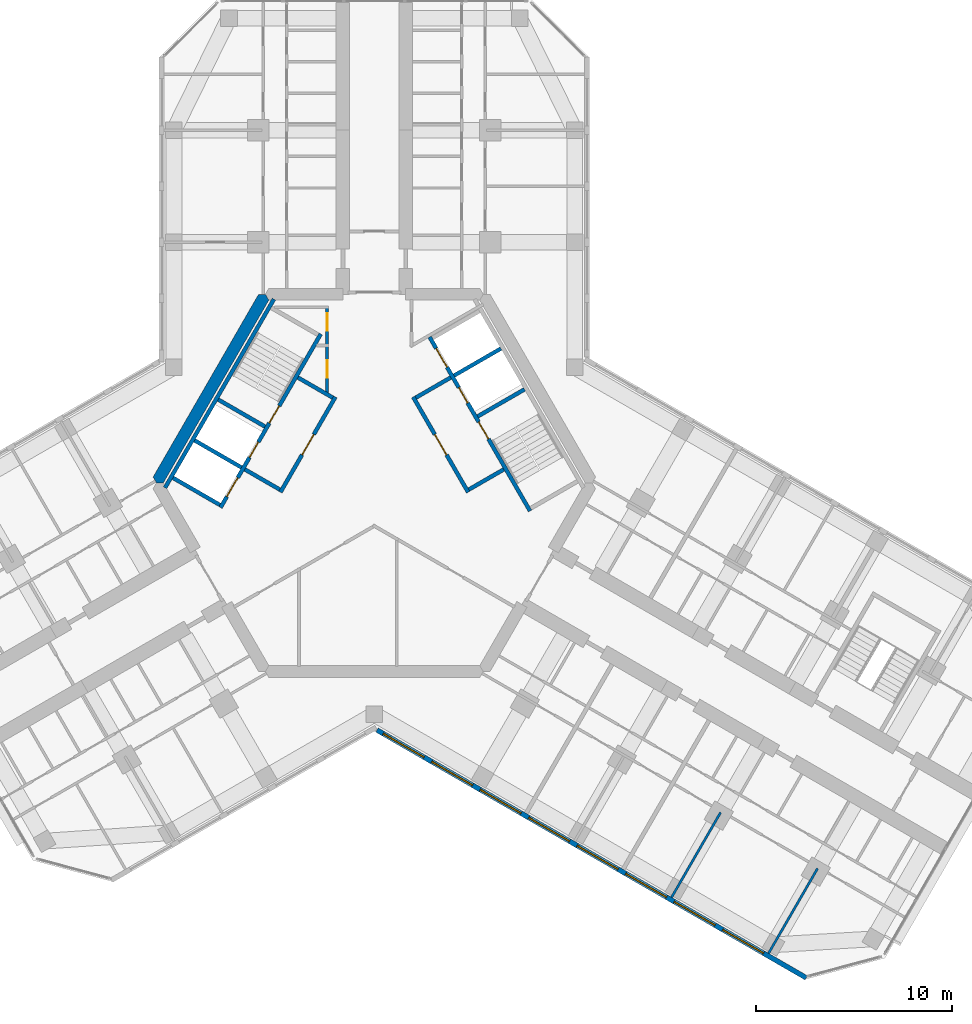
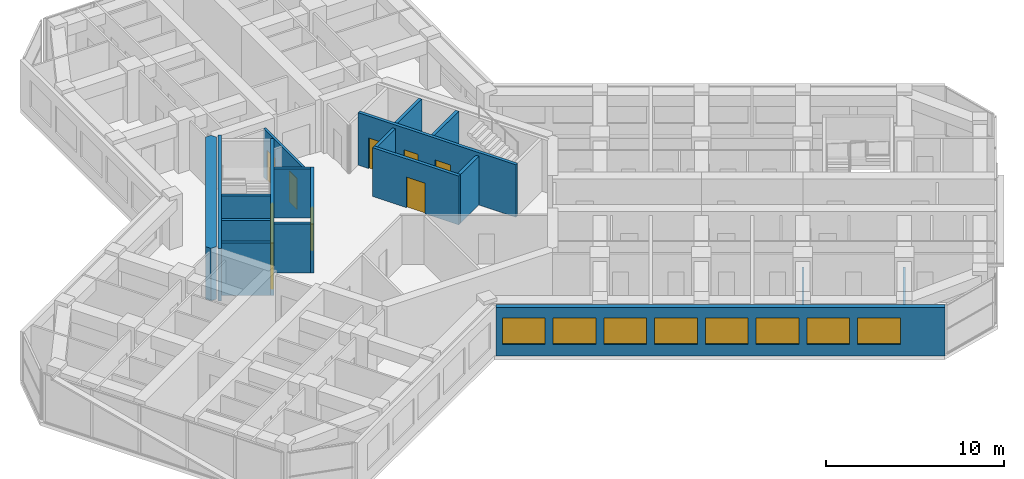
# One storey, part 10 of 16: 19 walls, 10 doors, 8 windows, 18 openings.
"""IFC4 building model written with IfcOpenShell, lengths in metres."""

from ifc_helpers import new_model, si_unit, direction, frame, frame_2d, origin, place, context, subcontext, project, spatial, polyline, rectangle, outline, extrude, material, layer, layer_set, type_object, element, fill, save


model = new_model("IFC4")

# Units and contexts
model_context = context("Model", 3, precision=1e-05, world=origin(), true_north=direction((0.0, 1.0)))
body_context = subcontext(model_context, "Body", "Model", "MODEL_VIEW")
ifc_project = project(units=[si_unit("LENGTHUNIT", "METRE"), si_unit("AREAUNIT", "SQUARE_METRE"), si_unit("VOLUMEUNIT", "CUBIC_METRE"), si_unit("PLANEANGLEUNIT", "RADIAN"), si_unit("MASSUNIT", "GRAM", prefix="KILO")], contexts=[model_context])

# Site, building, storey
site_placement = place(None, origin())
site = spatial("IfcSite", under=ifc_project, at=site_placement, CompositionType="ELEMENT")
building_placement = place(site_placement, origin())
building = spatial("IfcBuilding", under=site, at=building_placement, Name="Kosmar Iwan School Tower", CompositionType="ELEMENT")
storey_placement = place(building_placement, frame((0.0, 0.0, 249.60009765625)))
storey = spatial("IfcBuildingStorey", under=building, at=storey_placement, Name="L63", CompositionType="ELEMENT", Elevation=249.60009765625)

# Wall, openings, doors
ifc_material_1 = material(Name="Gypsum board on steel studs, fire-rated", Category="steel")
ifc_layer_1 = layer(ifc_material_1, 0.14990234375)
ifc_layer_set_1 = layer_set([ifc_layer_1], Name="Core room partition 150")
wall_type_1 = type_object("IfcWallType", Name="Core room partition 150", PredefinedType="PARTITIONING", material=ifc_layer_set_1)
wall_1_placement = place(storey_placement, frame((-2.39990234375, 9.014892578125, 0.0), z_axis=(0.0, 0.0, 1.0), x_axis=(0.0, -1.0, 0.0)))
wall_1 = element("IfcWall", 1, at=wall_1_placement, inside=storey, type_object=wall_type_1, Name="Core room partition L63-CW1", PredefinedType="PARTITIONING", context=body_context, shape_type="SweptSolid", body=[
    extrude(rectangle(XDim=4.484130859375, YDim=0.14990234375, at=frame_2d((2.2421875, 0.0))), origin(), (0.0, 0.0, 1.0), 3.349853515625),
])
opening_1_placement = place(wall_1_placement, frame((0.375, 0.0, 0.0)))
opening_1 = element("IfcOpeningElement", 2, at=opening_1_placement, cuts=wall_1, Name="Opening D14", PredefinedType="OPENING", context=body_context, shape_type="SweptSolid", body=[
    extrude(rectangle(XDim=0.89990234375, YDim=2.10009765625, at=frame_2d((0.449951171875, 1.050048828125))), frame((0.0, 0.0869140625, 0.0), z_axis=(0.0, -1.0, 0.0), x_axis=(1.0, 0.0, 0.0)), (0.0, 0.0, 1.0), 0.173828125),
])
opening_2_placement = place(wall_1_placement, frame((2.77490234375, 0.0, 0.0)))
opening_2 = element("IfcOpeningElement", 3, at=opening_2_placement, cuts=wall_1, Name="Opening D14", PredefinedType="OPENING", context=body_context, shape_type="SweptSolid", body=[
    extrude(rectangle(XDim=0.89990234375, YDim=2.10009765625, at=frame_2d((0.449951171875, 1.050048828125))), frame((0.0, 0.0869140625, 0.0), z_axis=(0.0, -1.0, 0.0), x_axis=(1.0, 0.0, 0.0)), (0.0, 0.0, 1.0), 0.173828125),
])
ifc_material_2 = material(Name="Timber fire door in steel frame", Category="steel")
door_type_1 = type_object("IfcDoorType", Name="Core room door 900x2100", OperationType="SINGLE_SWING_LEFT", PredefinedType="DOOR", material=ifc_material_2)
door_1_placement = place(opening_1_placement, origin())
door_1 = element("IfcDoor", 4, at=door_1_placement, inside=storey, type_object=door_type_1, Name="Electrical riser and switch room door L63 1", OperationType="SINGLE_SWING_LEFT", OverallHeight=2.10009765625, OverallWidth=0.89990234375, PredefinedType="DOOR", context=body_context, shape_type="SweptSolid", body=[
    extrude(rectangle(XDim=0.89990234375, YDim=2.10009765625, at=frame_2d((0.449951171875, 1.050048828125))), frame((0.0, 0.02490234375, 0.0), z_axis=(0.0, -1.0, 0.0), x_axis=(1.0, 0.0, 0.0)), (0.0, 0.0, 1.0), 0.050048828125),
])
fill(opening_1, door_1)
door_2_placement = place(opening_2_placement, origin())
door_2 = element("IfcDoor", 5, at=door_2_placement, inside=storey, type_object=door_type_1, Name="Plumbing and wet riser door L63 2", OperationType="SINGLE_SWING_RIGHT", OverallHeight=2.10009765625, OverallWidth=0.89990234375, PredefinedType="DOOR", context=body_context, shape_type="SweptSolid", body=[
    extrude(rectangle(XDim=0.89990234375, YDim=2.10009765625, at=frame_2d((0.449951171875, 1.050048828125))), frame((0.0, 0.02490234375, 0.0), z_axis=(0.0, -1.0, 0.0), x_axis=(1.0, 0.0, 0.0)), (0.0, 0.0, 1.0), 0.050048828125),
])
fill(opening_2, door_2)

# Walls
ifc_material_3 = material(Name="Concrete C50/60", Category="concrete")
ifc_layer_2 = layer(ifc_material_3, 0.60009765625)
ifc_layer_set_2 = layer_set([ifc_layer_2], Name="Core wall 600")
wall_type_2 = type_object("IfcWallType", Name="Core wall 600", PredefinedType="SHEAR", material=ifc_layer_set_2)
wall_2_placement = place(storey_placement, origin())
element("IfcWall", 6, at=wall_2_placement, inside=storey, type_object=wall_type_2, Name="Core wall F150", PredefinedType="SHEAR", context=body_context, shape_type="SweptSolid", body=[
    extrude(outline(polyline([(-11.085205078125, 0.0), (-10.73876953125, 0.0), (-5.369384765625, 9.300048828125), (-5.54248046875, 9.60009765625), (-5.888916015625, 9.60009765625), (-11.25830078125, 0.300048828125), (-11.085205078125, 0.0)])), origin(), (0.0, 0.0, 1.0), 3.599853515625),
])
ifc_material_4 = material(Name="Gypsum board on steel studs", Category="steel")
ifc_layer_3 = layer(ifc_material_4, 0.1201171875)
ifc_layer_set_3 = layer_set([ifc_layer_3], Name="Dwelling partition 120")
wall_type_3 = type_object("IfcWallType", Name="Dwelling partition 120", PredefinedType="PARTITIONING", material=ifc_layer_set_3)
wall_3_placement = place(storey_placement, frame((17.62646484375, -16.77001953125, 0.0), z_axis=(0.0, 0.0, 1.0), x_axis=(-0.499975153383, -0.86603974851, 0.0)))
element("IfcWall", 7, at=wall_3_placement, inside=storey, type_object=wall_type_3, Name="Partition L63-CR3-X1", PredefinedType="PARTITIONING", context=body_context, shape_type="SweptSolid", body=[
    extrude(rectangle(XDim=4.989990234375, YDim=0.1201171875, at=frame_2d((2.4951171875, 0.0))), origin(), (0.0, 0.0, 1.0), 2.449951171875),
])
wall_4_placement = place(storey_placement, frame((22.562744140625, -19.6201171875, 0.0), z_axis=(0.0, 0.0, 1.0), x_axis=(-0.499996339024, -0.86602751744, 0.0)))
element("IfcWall", 8, at=wall_4_placement, inside=storey, type_object=wall_type_3, Name="Partition L63-CR3-X2", PredefinedType="PARTITIONING", context=body_context, shape_type="SweptSolid", body=[
    extrude(rectangle(XDim=4.98974609375, YDim=0.1201171875, at=frame_2d((2.494873046875, 0.0))), origin(), (0.0, 0.0, 1.0), 2.449951171875),
])

# Wall, openings, windows
ifc_material_5 = material(Name="Black aluminium rainscreen on insulated framing", Category="aluminium")
ifc_layer_4 = layer(ifc_material_5, 0.25)
ifc_layer_set_4 = layer_set([ifc_layer_4], Name="External wall rainscreen 250")
wall_type_4 = type_object("IfcWallType", Name="External wall rainscreen 250", PredefinedType="SOLIDWALL", material=ifc_layer_set_4)
wall_5_placement = place(storey_placement, frame((0.137939453125, -12.5791015625, 0.0), z_axis=(0.0, 0.0, 1.0), x_axis=(0.866023775649, -0.500002820003, 0.0)))
wall_5 = element("IfcWall", 9, at=wall_5_placement, inside=storey, type_object=wall_type_4, Name="External wall CR L63", PredefinedType="SOLIDWALL", context=body_context, shape_type="SweptSolid", body=[
    extrude(rectangle(XDim=25.226318359375, YDim=0.25, at=frame_2d((12.61328125, 0.0))), origin(), (0.0, 0.0, 1.0), 3.349853515625),
])
opening_3_placement = place(wall_5_placement, frame((0.365966796875, 0.0, 0.800048828125)))
opening_3 = element("IfcOpeningElement", 10, at=opening_3_placement, cuts=wall_5, Name="Opening W5", PredefinedType="OPENING", context=body_context, shape_type="SweptSolid", body=[
    extrude(rectangle(XDim=2.39990234375, YDim=1.800048828125, at=frame_2d((1.199951171875, 0.89990234375))), frame((0.0, 0.136962890625, 0.0), z_axis=(0.0, -1.0, 0.0), x_axis=(1.0, 0.0, 0.0)), (0.0, 0.0, 1.0), 0.27392578125),
])
opening_4_placement = place(wall_5_placement, frame((3.216064453125, 0.0, 0.800048828125)))
opening_4 = element("IfcOpeningElement", 11, at=opening_4_placement, cuts=wall_5, Name="Opening W5", PredefinedType="OPENING", context=body_context, shape_type="SweptSolid", body=[
    extrude(rectangle(XDim=2.39990234375, YDim=1.800048828125, at=frame_2d((1.199951171875, 0.89990234375))), frame((0.0, 0.136962890625, 0.0), z_axis=(0.0, -1.0, 0.0), x_axis=(1.0, 0.0, 0.0)), (0.0, 0.0, 1.0), 0.27392578125),
])
opening_5_placement = place(wall_5_placement, frame((6.06591796875, 0.0, 0.800048828125)))
opening_5 = element("IfcOpeningElement", 12, at=opening_5_placement, cuts=wall_5, Name="Opening W5", PredefinedType="OPENING", context=body_context, shape_type="SweptSolid", body=[
    extrude(rectangle(XDim=2.39990234375, YDim=1.800048828125, at=frame_2d((1.199951171875, 0.89990234375))), frame((0.0, 0.136962890625, 0.0), z_axis=(0.0, -1.0, 0.0), x_axis=(1.0, 0.0, 0.0)), (0.0, 0.0, 1.0), 0.27392578125),
])
opening_6_placement = place(wall_5_placement, frame((8.916015625, 0.0, 0.800048828125)))
opening_6 = element("IfcOpeningElement", 13, at=opening_6_placement, cuts=wall_5, Name="Opening W5", PredefinedType="OPENING", context=body_context, shape_type="SweptSolid", body=[
    extrude(rectangle(XDim=2.39990234375, YDim=1.800048828125, at=frame_2d((1.199951171875, 0.89990234375))), frame((0.0, 0.136962890625, 0.0), z_axis=(0.0, -1.0, 0.0), x_axis=(1.0, 0.0, 0.0)), (0.0, 0.0, 1.0), 0.27392578125),
])
opening_7_placement = place(wall_5_placement, frame((11.76611328125, 0.0, 0.800048828125)))
opening_7 = element("IfcOpeningElement", 14, at=opening_7_placement, cuts=wall_5, Name="Opening W5", PredefinedType="OPENING", context=body_context, shape_type="SweptSolid", body=[
    extrude(rectangle(XDim=2.39990234375, YDim=1.800048828125, at=frame_2d((1.199951171875, 0.89990234375))), frame((0.0, 0.136962890625, 0.0), z_axis=(0.0, -1.0, 0.0), x_axis=(1.0, 0.0, 0.0)), (0.0, 0.0, 1.0), 0.27392578125),
])
opening_8_placement = place(wall_5_placement, frame((14.615966796875, 0.0, 0.800048828125)))
opening_8 = element("IfcOpeningElement", 15, at=opening_8_placement, cuts=wall_5, Name="Opening W5", PredefinedType="OPENING", context=body_context, shape_type="SweptSolid", body=[
    extrude(rectangle(XDim=2.39990234375, YDim=1.800048828125, at=frame_2d((1.199951171875, 0.89990234375))), frame((0.0, 0.136962890625, 0.0), z_axis=(0.0, -1.0, 0.0), x_axis=(1.0, 0.0, 0.0)), (0.0, 0.0, 1.0), 0.27392578125),
])
opening_9_placement = place(wall_5_placement, frame((17.466064453125, 0.0, 0.800048828125)))
opening_9 = element("IfcOpeningElement", 16, at=opening_9_placement, cuts=wall_5, Name="Opening W5", PredefinedType="OPENING", context=body_context, shape_type="SweptSolid", body=[
    extrude(rectangle(XDim=2.39990234375, YDim=1.800048828125, at=frame_2d((1.199951171875, 0.89990234375))), frame((0.0, 0.136962890625, 0.0), z_axis=(0.0, -1.0, 0.0), x_axis=(1.0, 0.0, 0.0)), (0.0, 0.0, 1.0), 0.27392578125),
])
opening_10_placement = place(wall_5_placement, frame((20.31591796875, 0.0, 0.800048828125)))
opening_10 = element("IfcOpeningElement", 17, at=opening_10_placement, cuts=wall_5, Name="Opening W5", PredefinedType="OPENING", context=body_context, shape_type="SweptSolid", body=[
    extrude(rectangle(XDim=2.39990234375, YDim=1.800048828125, at=frame_2d((1.199951171875, 0.89990234375))), frame((0.0, 0.136962890625, 0.0), z_axis=(0.0, -1.0, 0.0), x_axis=(1.0, 0.0, 0.0)), (0.0, 0.0, 1.0), 0.27392578125),
])
ifc_material_6 = material(Name="Black aluminium frame with dark triple glazing", Category="aluminium")
window_type = type_object("IfcWindowType", Name="Window 2400x1800", PartitioningType="SINGLE_PANEL", PredefinedType="WINDOW", material=ifc_material_6)
window_1_placement = place(opening_3_placement, origin())
window_1 = element("IfcWindow", 18, at=window_1_placement, inside=storey, type_object=window_type, Name="Window CR L63 -1", OverallHeight=1.800048828125, OverallWidth=2.39990234375, PartitioningType="SINGLE_PANEL", PredefinedType="WINDOW", context=body_context, shape_type="SweptSolid", body=[
    extrude(rectangle(XDim=2.39990234375, YDim=1.800048828125, at=frame_2d((1.199951171875, 0.89990234375))), frame((0.0, 0.030029296875, 0.0), z_axis=(0.0, -1.0, 0.0), x_axis=(1.0, 0.0, 0.0)), (0.0, 0.0, 1.0), 0.06005859375),
])
fill(opening_3, window_1)
window_2_placement = place(opening_4_placement, origin())
window_2 = element("IfcWindow", 19, at=window_2_placement, inside=storey, type_object=window_type, Name="Window CR L63 0", OverallHeight=1.800048828125, OverallWidth=2.39990234375, PartitioningType="SINGLE_PANEL", PredefinedType="WINDOW", context=body_context, shape_type="SweptSolid", body=[
    extrude(rectangle(XDim=2.39990234375, YDim=1.800048828125, at=frame_2d((1.199951171875, 0.89990234375))), frame((0.0, 0.030029296875, 0.0), z_axis=(0.0, -1.0, 0.0), x_axis=(1.0, 0.0, 0.0)), (0.0, 0.0, 1.0), 0.06005859375),
])
fill(opening_4, window_2)
window_3_placement = place(opening_5_placement, origin())
window_3 = element("IfcWindow", 20, at=window_3_placement, inside=storey, type_object=window_type, Name="Window CR L63 1", OverallHeight=1.800048828125, OverallWidth=2.39990234375, PartitioningType="SINGLE_PANEL", PredefinedType="WINDOW", context=body_context, shape_type="SweptSolid", body=[
    extrude(rectangle(XDim=2.39990234375, YDim=1.800048828125, at=frame_2d((1.199951171875, 0.89990234375))), frame((0.0, 0.030029296875, 0.0), z_axis=(0.0, -1.0, 0.0), x_axis=(1.0, 0.0, 0.0)), (0.0, 0.0, 1.0), 0.06005859375),
])
fill(opening_5, window_3)
window_4_placement = place(opening_6_placement, origin())
window_4 = element("IfcWindow", 21, at=window_4_placement, inside=storey, type_object=window_type, Name="Window CR L63 2", OverallHeight=1.800048828125, OverallWidth=2.39990234375, PartitioningType="SINGLE_PANEL", PredefinedType="WINDOW", context=body_context, shape_type="SweptSolid", body=[
    extrude(rectangle(XDim=2.39990234375, YDim=1.800048828125, at=frame_2d((1.199951171875, 0.89990234375))), frame((0.0, 0.030029296875, 0.0), z_axis=(0.0, -1.0, 0.0), x_axis=(1.0, 0.0, 0.0)), (0.0, 0.0, 1.0), 0.06005859375),
])
fill(opening_6, window_4)
window_5_placement = place(opening_7_placement, origin())
window_5 = element("IfcWindow", 22, at=window_5_placement, inside=storey, type_object=window_type, Name="Window CR L63 3", OverallHeight=1.800048828125, OverallWidth=2.39990234375, PartitioningType="SINGLE_PANEL", PredefinedType="WINDOW", context=body_context, shape_type="SweptSolid", body=[
    extrude(rectangle(XDim=2.39990234375, YDim=1.800048828125, at=frame_2d((1.199951171875, 0.89990234375))), frame((0.0, 0.030029296875, 0.0), z_axis=(0.0, -1.0, 0.0), x_axis=(1.0, 0.0, 0.0)), (0.0, 0.0, 1.0), 0.06005859375),
])
fill(opening_7, window_5)
window_6_placement = place(opening_8_placement, origin())
window_6 = element("IfcWindow", 23, at=window_6_placement, inside=storey, type_object=window_type, Name="Window CR L63 4", OverallHeight=1.800048828125, OverallWidth=2.39990234375, PartitioningType="SINGLE_PANEL", PredefinedType="WINDOW", context=body_context, shape_type="SweptSolid", body=[
    extrude(rectangle(XDim=2.39990234375, YDim=1.800048828125, at=frame_2d((1.199951171875, 0.89990234375))), frame((0.0, 0.030029296875, 0.0), z_axis=(0.0, -1.0, 0.0), x_axis=(1.0, 0.0, 0.0)), (0.0, 0.0, 1.0), 0.06005859375),
])
fill(opening_8, window_6)
window_7_placement = place(opening_9_placement, origin())
window_7 = element("IfcWindow", 24, at=window_7_placement, inside=storey, type_object=window_type, Name="Window CR L63 5", OverallHeight=1.800048828125, OverallWidth=2.39990234375, PartitioningType="SINGLE_PANEL", PredefinedType="WINDOW", context=body_context, shape_type="SweptSolid", body=[
    extrude(rectangle(XDim=2.39990234375, YDim=1.800048828125, at=frame_2d((1.199951171875, 0.89990234375))), frame((0.0, 0.030029296875, 0.0), z_axis=(0.0, -1.0, 0.0), x_axis=(1.0, 0.0, 0.0)), (0.0, 0.0, 1.0), 0.06005859375),
])
fill(opening_9, window_7)
window_8_placement = place(opening_10_placement, origin())
window_8 = element("IfcWindow", 25, at=window_8_placement, inside=storey, type_object=window_type, Name="Window CR L63 6", OverallHeight=1.800048828125, OverallWidth=2.39990234375, PartitioningType="SINGLE_PANEL", PredefinedType="WINDOW", context=body_context, shape_type="SweptSolid", body=[
    extrude(rectangle(XDim=2.39990234375, YDim=1.800048828125, at=frame_2d((1.199951171875, 0.89990234375))), frame((0.0, 0.030029296875, 0.0), z_axis=(0.0, -1.0, 0.0), x_axis=(1.0, 0.0, 0.0)), (0.0, 0.0, 1.0), 0.06005859375),
])
fill(opening_10, window_8)

# Wall, opening, door
ifc_material_7 = material(Name="Concrete block masonry", Category="masonry")
ifc_layer_5 = layer(ifc_material_7, 0.199951171875)
ifc_layer_set_5 = layer_set([ifc_layer_5], Name="Fire lobby wall 200")
wall_type_5 = type_object("IfcWallType", Name="Fire lobby wall 200", PredefinedType="PARTITIONING", material=ifc_layer_set_5)
wall_6_placement = place(storey_placement, frame((-1.9775390625, 4.374755859375, 0.0), z_axis=(0.0, 0.0, 1.0), x_axis=(-0.500016814911, -0.866015695474, 0.0)))
wall_6 = element("IfcWall", 26, at=wall_6_placement, inside=storey, type_object=wall_type_5, Name="Firefighting lobby wall ST2", PredefinedType="PARTITIONING", context=body_context, shape_type="SweptSolid", body=[
    extrude(rectangle(XDim=5.599853515625, YDim=0.199951171875, at=frame_2d((2.7998046875, 0.0))), origin(), (0.0, 0.0, 1.0), 3.349853515625),
])
opening_11_placement = place(wall_6_placement, frame((2.199951171875, 0.0, 0.0)))
opening_11 = element("IfcOpeningElement", 27, at=opening_11_placement, cuts=wall_6, Name="Opening D7", PredefinedType="OPENING", context=body_context, shape_type="SweptSolid", body=[
    extrude(rectangle(XDim=1.199951171875, YDim=2.10009765625, at=frame_2d((0.60009765625, 1.050048828125))), frame((0.0, 0.112060546875, 0.0), z_axis=(0.0, -1.0, 0.0), x_axis=(1.0, 0.0, 0.0)), (0.0, 0.0, 1.0), 0.223876953125),
])
ifc_material_8 = material(Name="Steel fire door", Category="steel")
door_type_2 = type_object("IfcDoorType", Name="Fire lobby door 1200x2100", OperationType="SINGLE_SWING_LEFT", PredefinedType="DOOR", material=ifc_material_8)
door_3_placement = place(opening_11_placement, origin())
door_3 = element("IfcDoor", 28, at=door_3_placement, inside=storey, type_object=door_type_2, Name="Firefighting lobby door ST2 L63", OperationType="SINGLE_SWING_RIGHT", OverallHeight=2.10009765625, OverallWidth=1.199951171875, PredefinedType="DOOR", context=body_context, shape_type="SweptSolid", body=[
    extrude(rectangle(XDim=1.199951171875, YDim=2.10009765625, at=frame_2d((0.60009765625, 1.050048828125))), frame((0.0, 0.02490234375, 0.0), z_axis=(0.0, -1.0, 0.0), x_axis=(1.0, 0.0, 0.0)), (0.0, 0.0, 1.0), 0.050048828125),
])
fill(opening_11, door_3)

# Walls
wall_7_placement = place(storey_placement, frame((-2.114013671875, 4.33837890625, 0.0), z_axis=(0.0, 0.0, 1.0), x_axis=(-0.866050731258, 0.499956128963, 0.0)))
element("IfcWall", 29, at=wall_7_placement, inside=storey, type_object=wall_type_5, Name="Firefighting lobby wall ST2", PredefinedType="PARTITIONING", context=body_context, shape_type="SweptSolid", body=[
    extrude(rectangle(XDim=2.050048828125, YDim=0.199951171875, at=frame_2d((1.02490234375, 0.0))), origin(), (0.0, 0.0, 1.0), 3.349853515625),
])
wall_8_placement = place(storey_placement, frame((-4.814208984375, -0.33837890625, 0.0), z_axis=(0.0, 0.0, 1.0), x_axis=(-0.865969381856, 0.500097020274, 0.0)))
element("IfcWall", 30, at=wall_8_placement, inside=storey, type_object=wall_type_5, Name="Firefighting lobby wall ST2", PredefinedType="PARTITIONING", context=body_context, shape_type="SweptSolid", body=[
    extrude(rectangle(XDim=2.0498046875, YDim=0.199951171875, at=frame_2d((1.02490234375, 0.0))), origin(), (0.0, 0.0, 1.0), 3.349853515625),
])

# Wall, opening, door
wall_9_placement = place(storey_placement, frame((4.777587890625, -0.474853515625, 0.0), z_axis=(0.0, 0.0, 1.0), x_axis=(-0.500016814911, 0.866015695474, 0.0)))
wall_9 = element("IfcWall", 31, at=wall_9_placement, inside=storey, type_object=wall_type_5, Name="Firefighting lobby wall ST1", PredefinedType="PARTITIONING", context=body_context, shape_type="SweptSolid", body=[
    extrude(rectangle(XDim=5.599853515625, YDim=0.199951171875, at=frame_2d((2.7998046875, 0.0))), origin(), (0.0, 0.0, 1.0), 3.349853515625),
])
opening_12_placement = place(wall_9_placement, frame((2.199951171875, 0.0, 0.0)))
opening_12 = element("IfcOpeningElement", 32, at=opening_12_placement, cuts=wall_9, Name="Opening D7", PredefinedType="OPENING", context=body_context, shape_type="SweptSolid", body=[
    extrude(rectangle(XDim=1.199951171875, YDim=2.10009765625, at=frame_2d((0.60009765625, 1.050048828125))), frame((0.0, 0.112060546875, 0.0), z_axis=(0.0, -1.0, 0.0), x_axis=(1.0, 0.0, 0.0)), (0.0, 0.0, 1.0), 0.223876953125),
])
door_4_placement = place(opening_12_placement, origin())
door_4 = element("IfcDoor", 33, at=door_4_placement, inside=storey, type_object=door_type_2, Name="Firefighting lobby door ST1 L63", OperationType="SINGLE_SWING_RIGHT", OverallHeight=2.10009765625, OverallWidth=1.199951171875, PredefinedType="DOOR", context=body_context, shape_type="SweptSolid", body=[
    extrude(rectangle(XDim=1.199951171875, YDim=2.10009765625, at=frame_2d((0.60009765625, 1.050048828125))), frame((0.0, 0.02490234375, 0.0), z_axis=(0.0, -1.0, 0.0), x_axis=(1.0, 0.0, 0.0)), (0.0, 0.0, 1.0), 0.050048828125),
])
fill(opening_12, door_4)

# Walls
wall_10_placement = place(storey_placement, frame((4.814208984375, -0.33837890625, 0.0), z_axis=(0.0, 0.0, 1.0), x_axis=(0.865969381856, 0.500097020274, 0.0)))
element("IfcWall", 34, at=wall_10_placement, inside=storey, type_object=wall_type_5, Name="Firefighting lobby wall ST1", PredefinedType="PARTITIONING", context=body_context, shape_type="SweptSolid", body=[
    extrude(rectangle(XDim=2.0498046875, YDim=0.199951171875, at=frame_2d((1.02490234375, 0.0))), origin(), (0.0, 0.0, 1.0), 3.349853515625),
])
wall_11_placement = place(storey_placement, frame((2.114013671875, 4.33837890625, 0.0), z_axis=(0.0, 0.0, 1.0), x_axis=(0.866050731258, 0.499956128963, 0.0)))
element("IfcWall", 35, at=wall_11_placement, inside=storey, type_object=wall_type_5, Name="Firefighting lobby wall ST1", PredefinedType="PARTITIONING", context=body_context, shape_type="SweptSolid", body=[
    extrude(rectangle(XDim=2.050048828125, YDim=0.199951171875, at=frame_2d((1.02490234375, 0.0))), origin(), (0.0, 0.0, 1.0), 3.349853515625),
])

# Wall, openings, doors
ifc_material_9 = material(Name="Concrete C50/60", Category="concrete")
ifc_layer_6 = layer(ifc_material_9, 0.199951171875)
ifc_layer_set_6 = layer_set([ifc_layer_6], Name="Lift shaft wall 200")
wall_type_6 = type_object("IfcWallType", Name="Lift shaft wall 200", PredefinedType="SHEAR", material=ifc_layer_set_6)
wall_12_placement = place(storey_placement, frame((-2.72607421875, 7.578369140625, 0.0), z_axis=(0.0, 0.0, 1.0), x_axis=(-0.500005610874, -0.86602216432, 0.0)))
wall_12 = element("IfcWall", 36, at=wall_12_placement, inside=storey, type_object=wall_type_6, Name="Lift and stair front wall AB", PredefinedType="SHEAR", context=body_context, shape_type="SweptSolid", body=[
    extrude(rectangle(XDim=10.2001953125, YDim=0.199951171875, at=frame_2d((5.10009765625, 0.0))), origin(), (0.0, 0.0, 1.0), 3.599853515625),
])
opening_13_placement = place(wall_12_placement, frame((6.35009765625, 0.0, 0.0)))
opening_13 = element("IfcOpeningElement", 37, at=opening_13_placement, cuts=wall_12, Name="Opening LD2", PredefinedType="OPENING", context=body_context, shape_type="SweptSolid", body=[
    extrude(rectangle(XDim=0.89990234375, YDim=2.10009765625, at=frame_2d((0.449951171875, 1.050048828125))), frame((0.0, 0.112060546875, 0.0), z_axis=(0.0, -1.0, 0.0), x_axis=(1.0, 0.0, 0.0)), (0.0, 0.0, 1.0), 0.223876953125),
])
opening_14_placement = place(wall_12_placement, frame((8.449951171875, 0.0, 0.0)))
opening_14 = element("IfcOpeningElement", 38, at=opening_14_placement, cuts=wall_12, Name="Opening LD1", PredefinedType="OPENING", context=body_context, shape_type="SweptSolid", body=[
    extrude(rectangle(XDim=1.10009765625, YDim=2.10009765625, at=frame_2d((0.550048828125, 1.050048828125))), frame((0.0, 0.112060546875, 0.0), z_axis=(0.0, -1.0, 0.0), x_axis=(1.0, 0.0, 0.0)), (0.0, 0.0, 1.0), 0.223876953125),
])
opening_15_placement = place(wall_12_placement, frame((4.22998046875, 0.0, 0.0)))
opening_15 = element("IfcOpeningElement", 39, at=opening_15_placement, cuts=wall_12, Name="Opening D6", PredefinedType="OPENING", context=body_context, shape_type="SweptSolid", body=[
    extrude(rectangle(XDim=1.0, YDim=2.10009765625, at=frame_2d((0.5, 1.050048828125))), frame((0.0, 0.112060546875, 0.0), z_axis=(0.0, -1.0, 0.0), x_axis=(1.0, 0.0, 0.0)), (0.0, 0.0, 1.0), 0.223876953125),
])
ifc_material_10 = material(Name="Stainless steel sliding lift door", Category="steel")
door_type_3 = type_object("IfcDoorType", Name="Firefighting lift landing door 900x2100", OperationType="SLIDING_TO_LEFT", PredefinedType="DOOR", material=ifc_material_10)
door_5_placement = place(opening_13_placement, origin())
door_5 = element("IfcDoor", 40, at=door_5_placement, inside=storey, type_object=door_type_3, Name="Lift FF2 landing door L63", OperationType="SLIDING_TO_LEFT", OverallHeight=2.10009765625, OverallWidth=0.89990234375, PredefinedType="DOOR", context=body_context, shape_type="SweptSolid", body=[
    extrude(rectangle(XDim=0.89990234375, YDim=2.10009765625, at=frame_2d((0.449951171875, 1.050048828125))), frame((0.0, 0.02490234375, 0.0), z_axis=(0.0, -1.0, 0.0), x_axis=(1.0, 0.0, 0.0)), (0.0, 0.0, 1.0), 0.050048828125),
])
fill(opening_13, door_5)
ifc_material_11 = material(Name="Stainless steel sliding lift door", Category="steel")
door_type_4 = type_object("IfcDoorType", Name="Lift landing door 1100x2100", OperationType="SLIDING_TO_LEFT", PredefinedType="DOOR", material=ifc_material_11)
door_6_placement = place(opening_14_placement, origin())
door_6 = element("IfcDoor", 41, at=door_6_placement, inside=storey, type_object=door_type_4, Name="Lift PL6 landing door L63", OperationType="SLIDING_TO_LEFT", OverallHeight=2.10009765625, OverallWidth=1.10009765625, PredefinedType="DOOR", context=body_context, shape_type="SweptSolid", body=[
    extrude(rectangle(XDim=1.10009765625, YDim=2.10009765625, at=frame_2d((0.550048828125, 1.050048828125))), frame((0.0, 0.02490234375, 0.0), z_axis=(0.0, -1.0, 0.0), x_axis=(1.0, 0.0, 0.0)), (0.0, 0.0, 1.0), 0.050048828125),
])
fill(opening_14, door_6)
ifc_material_12 = material(Name="Steel fire door", Category="steel")
door_type_5 = type_object("IfcDoorType", Name="Stair door 1000x2100", OperationType="SINGLE_SWING_LEFT", PredefinedType="DOOR", material=ifc_material_12)
door_7_placement = place(opening_15_placement, origin())
door_7 = element("IfcDoor", 42, at=door_7_placement, inside=storey, type_object=door_type_5, Name="Stair ST2 door L63", OperationType="SINGLE_SWING_LEFT", OverallHeight=2.10009765625, OverallWidth=1.0, PredefinedType="DOOR", context=body_context, shape_type="SweptSolid", body=[
    extrude(rectangle(XDim=1.0, YDim=2.10009765625, at=frame_2d((0.5, 1.050048828125))), frame((0.0, 0.02490234375, 0.0), z_axis=(0.0, -1.0, 0.0), x_axis=(1.0, 0.0, 0.0)), (0.0, 0.0, 1.0), 0.050048828125),
])
fill(opening_15, door_7)

# Walls
wall_13_placement = place(storey_placement, frame((-5.109619140625, 9.35009765625, 0.0), z_axis=(0.0, 0.0, 1.0), x_axis=(-0.499990629522, -0.866030813765, 0.0)))
element("IfcWall", 43, at=wall_13_placement, inside=storey, type_object=wall_type_6, Name="Lift and stair back wall AB", PredefinedType="SHEAR", context=body_context, shape_type="SweptSolid", body=[
    extrude(rectangle(XDim=11.085205078125, YDim=0.199951171875, at=frame_2d((5.54248046875, 0.0))), origin(), (0.0, 0.0, 1.0), 3.599853515625),
])
for number, where, z_axis, x_axis, name in (
    (44, (-6.7626953125, 0.78662109375, 0.0), (0.0, 0.0, 1.0), (-0.866027397988, 0.499996545922, 0.0), "Lift shaft wall AB 1"),
    (45, (-7.862548828125, -1.118408203125, 0.0), (0.0, 0.0, 1.0), (-0.866027397988, 0.499996545922, 0.0), "Lift shaft wall AB 2"),
):
    element("IfcWall", number, at=place(storey_placement, frame(where, z_axis=z_axis, x_axis=x_axis)), inside=storey, type_object=wall_type_6, Name=name, PredefinedType="SHEAR", context=body_context, shape_type="SweptSolid", body=[
        extrude(rectangle(XDim=2.75, YDim=0.199951171875, at=frame_2d((1.375, 0.0))), origin(), (0.0, 0.0, 1.0), 3.599853515625),
    ])

# Wall, openings, doors
wall_14_placement = place(storey_placement, frame((7.926025390625, -1.42822265625, 0.0), z_axis=(0.0, 0.0, 1.0), x_axis=(-0.50000905659, 0.866020174897, 0.0)))
wall_14 = element("IfcWall", 46, at=wall_14_placement, inside=storey, type_object=wall_type_6, Name="Lift and stair front wall AC", PredefinedType="SHEAR", context=body_context, shape_type="SweptSolid", body=[
    extrude(rectangle(XDim=10.224853515625, YDim=0.199951171875, at=frame_2d((5.1123046875, 0.0))), origin(), (0.0, 0.0, 1.0), 3.599853515625),
])
opening_16_placement = place(wall_14_placement, frame((6.35009765625, 0.0, 0.0)))
opening_16 = element("IfcOpeningElement", 47, at=opening_16_placement, cuts=wall_14, Name="Opening LD2", PredefinedType="OPENING", context=body_context, shape_type="SweptSolid", body=[
    extrude(rectangle(XDim=0.89990234375, YDim=2.10009765625, at=frame_2d((0.449951171875, 1.050048828125))), frame((0.0, 0.112060546875, 0.0), z_axis=(0.0, -1.0, 0.0), x_axis=(1.0, 0.0, 0.0)), (0.0, 0.0, 1.0), 0.223876953125),
])
opening_17_placement = place(wall_14_placement, frame((8.449951171875, 0.0, 0.0)))
opening_17 = element("IfcOpeningElement", 48, at=opening_17_placement, cuts=wall_14, Name="Opening LD1", PredefinedType="OPENING", context=body_context, shape_type="SweptSolid", body=[
    extrude(rectangle(XDim=1.10009765625, YDim=2.10009765625, at=frame_2d((0.550048828125, 1.050048828125))), frame((0.0, 0.112060546875, 0.0), z_axis=(0.0, -1.0, 0.0), x_axis=(1.0, 0.0, 0.0)), (0.0, 0.0, 1.0), 0.223876953125),
])
opening_18_placement = place(wall_14_placement, frame((4.22998046875, 0.0, 0.0)))
opening_18 = element("IfcOpeningElement", 49, at=opening_18_placement, cuts=wall_14, Name="Opening D6", PredefinedType="OPENING", context=body_context, shape_type="SweptSolid", body=[
    extrude(rectangle(XDim=1.0, YDim=2.10009765625, at=frame_2d((0.5, 1.050048828125))), frame((0.0, 0.112060546875, 0.0), z_axis=(0.0, -1.0, 0.0), x_axis=(1.0, 0.0, 0.0)), (0.0, 0.0, 1.0), 0.223876953125),
])
door_8_placement = place(opening_16_placement, origin())
door_8 = element("IfcDoor", 50, at=door_8_placement, inside=storey, type_object=door_type_3, Name="Lift FF1 landing door L63", OperationType="SLIDING_TO_LEFT", OverallHeight=2.10009765625, OverallWidth=0.89990234375, PredefinedType="DOOR", context=body_context, shape_type="SweptSolid", body=[
    extrude(rectangle(XDim=0.89990234375, YDim=2.10009765625, at=frame_2d((0.449951171875, 1.050048828125))), frame((0.0, 0.02490234375, 0.0), z_axis=(0.0, -1.0, 0.0), x_axis=(1.0, 0.0, 0.0)), (0.0, 0.0, 1.0), 0.050048828125),
])
fill(opening_16, door_8)
door_9_placement = place(opening_17_placement, origin())
door_9 = element("IfcDoor", 51, at=door_9_placement, inside=storey, type_object=door_type_4, Name="Lift PL5 landing door L63", OperationType="SLIDING_TO_LEFT", OverallHeight=2.10009765625, OverallWidth=1.10009765625, PredefinedType="DOOR", context=body_context, shape_type="SweptSolid", body=[
    extrude(rectangle(XDim=1.10009765625, YDim=2.10009765625, at=frame_2d((0.550048828125, 1.050048828125))), frame((0.0, 0.02490234375, 0.0), z_axis=(0.0, -1.0, 0.0), x_axis=(1.0, 0.0, 0.0)), (0.0, 0.0, 1.0), 0.050048828125),
])
fill(opening_17, door_9)
door_10_placement = place(opening_18_placement, origin())
door_10 = element("IfcDoor", 52, at=door_10_placement, inside=storey, type_object=door_type_5, Name="Stair ST1 door L63", OperationType="SINGLE_SWING_LEFT", OverallHeight=2.10009765625, OverallWidth=1.0, PredefinedType="DOOR", context=body_context, shape_type="SweptSolid", body=[
    extrude(rectangle(XDim=1.0, YDim=2.10009765625, at=frame_2d((0.5, 1.050048828125))), frame((0.0, 0.02490234375, 0.0), z_axis=(0.0, -1.0, 0.0), x_axis=(1.0, 0.0, 0.0)), (0.0, 0.0, 1.0), 0.050048828125),
])
fill(opening_18, door_10)

# Walls
wall_15_placement = place(storey_placement, frame((4.062744140625, 5.46337890625, 0.0), z_axis=(0.0, 0.0, 1.0), x_axis=(0.866027397988, 0.499996545922, 0.0)))
element("IfcWall", 53, at=wall_15_placement, inside=storey, type_object=wall_type_6, Name="Lift shaft wall AC 1", PredefinedType="SHEAR", context=body_context, shape_type="SweptSolid", body=[
    extrude(rectangle(XDim=2.75, YDim=0.199951171875, at=frame_2d((1.375, 0.0))), origin(), (0.0, 0.0, 1.0), 3.599853515625),
])
ifc_material_13 = material(Name="Concrete C50/60", Category="concrete")
ifc_layer_7 = layer(ifc_material_13, 0.199951171875)
ifc_layer_set_7 = layer_set([ifc_layer_7], Name="Stair enclosure wall 200")
wall_type_7 = type_object("IfcWallType", Name="Stair enclosure wall 200", PredefinedType="SHEAR", material=ifc_layer_set_7)
for number, where, z_axis, x_axis, name in (
    (54, (-5.562744140625, 2.865234375, 0.0), (0.0, 0.0, 1.0), (-0.866027397988, 0.499996545922, 0.0), "Stair ST2 wall"),
    (55, (5.2626953125, 3.384765625, 0.0), (0.0, 0.0, 1.0), (0.866027397988, 0.499996545922, 0.0), "Stair ST1 wall"),
):
    element("IfcWall", number, at=place(storey_placement, frame(where, z_axis=z_axis, x_axis=x_axis)), inside=storey, type_object=wall_type_7, Name=name, PredefinedType="SHEAR", context=body_context, shape_type="SweptSolid", body=[
        extrude(rectangle(XDim=2.75, YDim=0.199951171875, at=frame_2d((1.375, 0.0))), origin(), (0.0, 0.0, 1.0), 3.599853515625),
    ])

save(model, "model.ifc")
